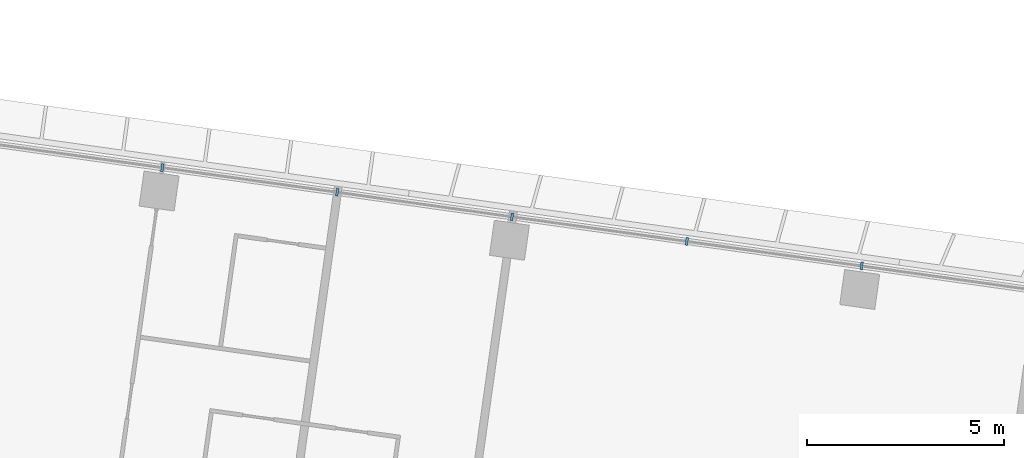
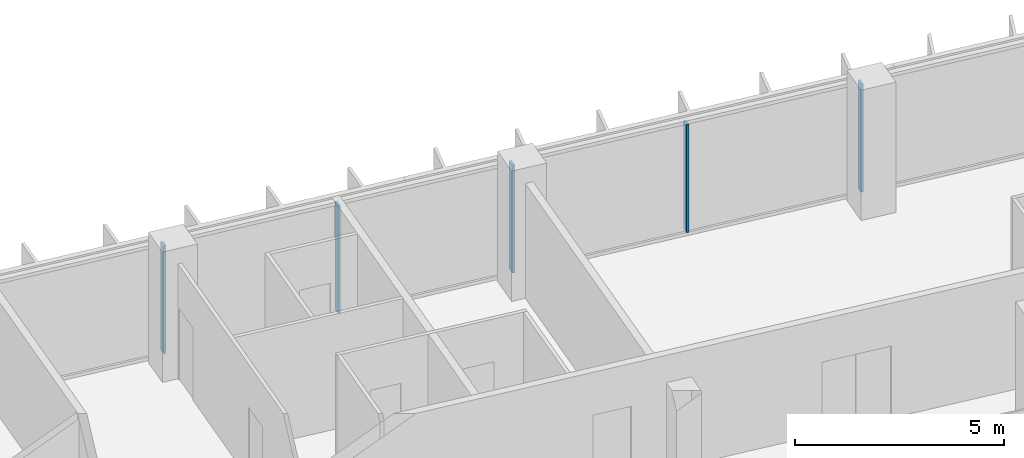
# One storey, part 5 of 25: 5 members, 1 element without a shape of its own.
"""IFC4 building model written with IfcOpenShell, lengths in metres."""

from ifc_helpers import new_model, si_unit, direction, frame, origin, origin_2d, place, context, subcontext, project, spatial, rectangle, extrude, material, material_profile, profile_set, type_object, element, aggregate, save


model = new_model("IFC4")

# Units and contexts
model_context = context("Model", 3, precision=1e-05, world=origin(), true_north=direction((0.0, 1.0)))
body_context = subcontext(model_context, "Body", "Model", "MODEL_VIEW")
ifc_project = project(units=[si_unit("LENGTHUNIT", "METRE"), si_unit("AREAUNIT", "SQUARE_METRE"), si_unit("VOLUMEUNIT", "CUBIC_METRE"), si_unit("PLANEANGLEUNIT", "RADIAN"), si_unit("MASSUNIT", "GRAM", prefix="KILO")], contexts=[model_context])

# Site, building, storey
site_placement = place(None, origin())
site = spatial("IfcSite", under=ifc_project, at=site_placement, CompositionType="ELEMENT")
building_placement = place(site_placement, origin())
building = spatial("IfcBuilding", under=site, at=building_placement, Name="Mirante Cascada Hotel Towers", CompositionType="ELEMENT")
storey_placement = place(building_placement, frame((0.0, 0.0, 129.1)))
storey = spatial("IfcBuildingStorey", under=building, at=storey_placement, Name="L29", CompositionType="ELEMENT", Elevation=129.1)

# Curtain wall, members
ifc_material_1 = material(Name="Aluminium mullion and transom frame with clear laminated glass", Category="aluminium")
curtain_wall_type = type_object("IfcCurtainWallType", Name="Ribbon curtain wall ECW1", PredefinedType="NOTDEFINED", material=ifc_material_1)
curtain_wall_placement = place(storey_placement, origin())
curtain_wall = element("IfcCurtainWall", 1, at=curtain_wall_placement, inside=storey, type_object=curtain_wall_type, Name="Front ribbon wall T1 L29", PredefinedType="NOTDEFINED")
ifc_material_2 = material(Name="Anodised aluminium extrusion", Category="aluminium")
ifc_material_profile = material_profile(ifc_material_2, rectangle(XDim=0.2, YDim=0.065, at=origin_2d()), Name="ECW1 MULLION 65x200")
ifc_profile_set = profile_set([ifc_material_profile], Name="Anodised aluminium extrusion")
member_type = type_object("IfcMemberType", Name="ECW1 mullion 65x200", PredefinedType="MULLION", material=ifc_profile_set)
member_1_placement = place(storey_placement, frame((-63.0262, 21.6768, 0.1), z_axis=(0.0, 0.0, 1.0), x_axis=(0.1391731, 0.9902681, 0.0)))
member_1 = element("IfcMember", 2, at=member_1_placement, type_object=member_type, Name="ECW1 mullion 8", PredefinedType="MULLION", context=body_context, shape_type="SweptSolid", body=[
    extrude(rectangle(XDim=0.2, YDim=0.065, at=origin_2d()), origin(), (0.0, 0.0, 1.0), 3.15),
])
member_2_placement = place(storey_placement, frame((-58.5788, 21.0517, 0.1), z_axis=(0.0, 0.0, 1.0), x_axis=(0.1391731, 0.9902681, 0.0)))
member_2 = element("IfcMember", 3, at=member_2_placement, type_object=member_type, Name="ECW1 mullion 9", PredefinedType="MULLION", context=body_context, shape_type="SweptSolid", body=[
    extrude(rectangle(XDim=0.2, YDim=0.065, at=origin_2d()), origin(), (0.0, 0.0, 1.0), 3.15),
])
member_3_placement = place(storey_placement, frame((-54.1314, 20.4267, 0.1), z_axis=(0.0, 0.0, 1.0), x_axis=(0.1391731, 0.9902681, 0.0)))
member_3 = element("IfcMember", 4, at=member_3_placement, type_object=member_type, Name="ECW1 mullion 10", PredefinedType="MULLION", context=body_context, shape_type="SweptSolid", body=[
    extrude(rectangle(XDim=0.2, YDim=0.065, at=origin_2d()), origin(), (0.0, 0.0, 1.0), 3.15),
])
member_4_placement = place(storey_placement, frame((-49.684, 19.8017, 0.1), z_axis=(0.0, 0.0, 1.0), x_axis=(0.1391731, 0.9902681, 0.0)))
member_4 = element("IfcMember", 5, at=member_4_placement, type_object=member_type, Name="ECW1 mullion 11", PredefinedType="MULLION", context=body_context, shape_type="SweptSolid", body=[
    extrude(rectangle(XDim=0.2, YDim=0.065, at=origin_2d()), origin(), (0.0, 0.0, 1.0), 3.15),
])
member_5_placement = place(storey_placement, frame((-45.2366, 19.1766, 0.1), z_axis=(0.0, 0.0, 1.0), x_axis=(0.1391731, 0.9902681, 0.0)))
member_5 = element("IfcMember", 6, at=member_5_placement, type_object=member_type, Name="ECW1 mullion 12", PredefinedType="MULLION", context=body_context, shape_type="SweptSolid", body=[
    extrude(rectangle(XDim=0.2, YDim=0.065, at=origin_2d()), origin(), (0.0, 0.0, 1.0), 3.15),
])
aggregate(curtain_wall, [member_1, member_2, member_3, member_4, member_5])

save(model, "model.ifc")
